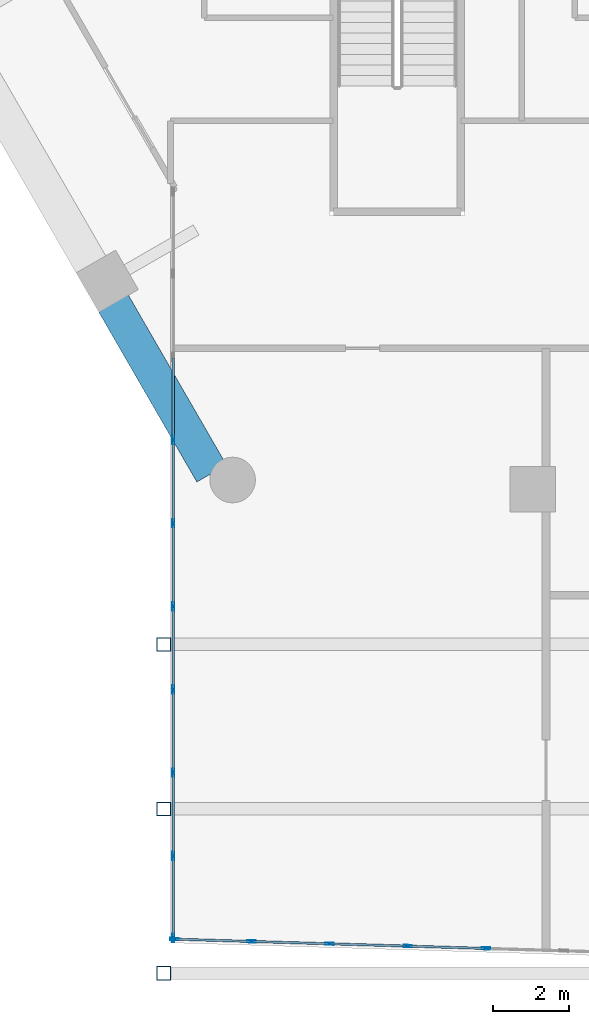
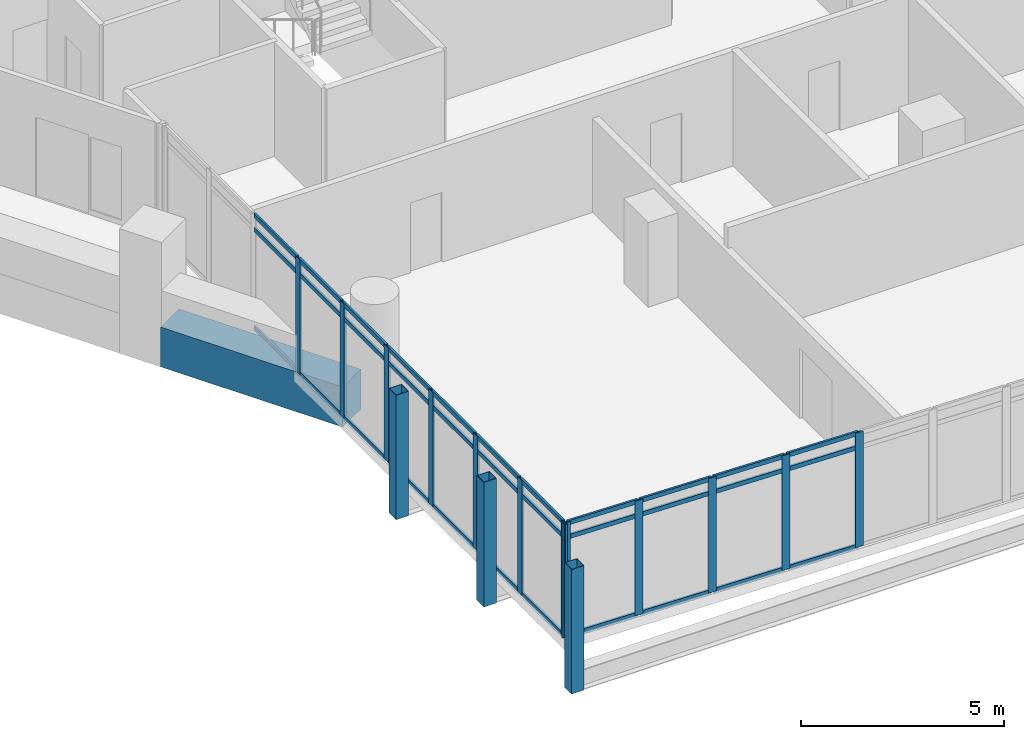
# One storey, part 2 of 28: 48 members, 1 beam, 2 elements without a shape of their own.
"""IFC4 building model written with IfcOpenShell, lengths in metres."""

from ifc_helpers import new_model, si_unit, direction, frame, origin, origin_2d, place, context, subcontext, project, spatial, rectangle, hollow_rectangle, extrude, material, material_profile, profile_set, type_object, element, aggregate, save


model = new_model("IFC4")

# Units and contexts
model_context = context("Model", 3, precision=1e-05, world=origin(), true_north=direction((0.0, 1.0)))
body_context = subcontext(model_context, "Body", "Model", "MODEL_VIEW")
ifc_project = project(units=[si_unit("LENGTHUNIT", "METRE"), si_unit("AREAUNIT", "SQUARE_METRE"), si_unit("VOLUMEUNIT", "CUBIC_METRE"), si_unit("PLANEANGLEUNIT", "RADIAN"), si_unit("MASSUNIT", "GRAM", prefix="KILO")], contexts=[model_context])

# Site, building, storey
site_placement = place(None, origin())
site = spatial("IfcSite", under=ifc_project, at=site_placement, CompositionType="ELEMENT")
building_placement = place(site_placement, origin())
building = spatial("IfcBuilding", under=site, at=building_placement, Name="Ostrander Bayou Hotel Tower", CompositionType="ELEMENT")
storey_placement = place(building_placement, frame((0.0, 0.0, 134.75)))
storey = spatial("IfcBuildingStorey", under=building, at=storey_placement, Name="L33", CompositionType="ELEMENT", Elevation=134.75)

# Curtain wall, members
ifc_material_1 = material(Name="Aluminium and clear glass", Category="aluminium")
curtain_wall_type = type_object("IfcCurtainWallType", Name="CW-BAR glazed wall", PredefinedType="NOTDEFINED", material=ifc_material_1)
curtain_wall_1_placement = place(storey_placement, origin())
curtain_wall_1 = element("IfcCurtainWall", 1, at=curtain_wall_1_placement, inside=storey, type_object=curtain_wall_type, Name="CW-BAR L33:SB3S:E", PredefinedType="NOTDEFINED")
ifc_material_2 = material(Name="Aluminium", Category="aluminium")
ifc_material_profile_1 = material_profile(ifc_material_2, hollow_rectangle(XDim=0.06005859375, YDim=0.219970703125, WallThickness=0.00390625, at=origin_2d()))
ifc_profile_set_1 = profile_set([ifc_material_profile_1], Name="Aluminium")
member_type_1 = type_object("IfcMemberType", Name="CW-BR mullion 60 x 220 mm", PredefinedType="MULLION", material=ifc_profile_set_1)
member_1_placement = place(storey_placement, frame((-13.3671875, -17.41552734375, 0.0), z_axis=(0.0, 0.0, 1.0), x_axis=(1.0, 0.0, 0.0)))
member_1 = element("IfcMember", 2, at=member_1_placement, type_object=member_type_1, Name="CW-BAR mullion 4", PredefinedType="MULLION", context=body_context, shape_type="SweptSolid", body=[
    extrude(hollow_rectangle(XDim=0.06005859375, YDim=0.219970703125, WallThickness=0.00390625, at=origin_2d()), origin(), (0.0, 0.0, 1.0), 3.449951171875),
])
member_2_placement = place(storey_placement, frame((-13.3671875, -19.60498046875, 0.0), z_axis=(0.0, 0.0, 1.0), x_axis=(1.0, 0.0, 0.0)))
member_2 = element("IfcMember", 3, at=member_2_placement, type_object=member_type_1, Name="CW-BAR mullion 5", PredefinedType="MULLION", context=body_context, shape_type="SweptSolid", body=[
    extrude(hollow_rectangle(XDim=0.06005859375, YDim=0.219970703125, WallThickness=0.00390625, at=origin_2d()), origin(), (0.0, 0.0, 1.0), 3.449951171875),
])
member_3_placement = place(storey_placement, frame((-13.3671875, -21.79443359375, 0.0), z_axis=(0.0, 0.0, 1.0), x_axis=(1.0, 0.0, 0.0)))
member_3 = element("IfcMember", 4, at=member_3_placement, type_object=member_type_1, Name="CW-BAR mullion 6", PredefinedType="MULLION", context=body_context, shape_type="SweptSolid", body=[
    extrude(hollow_rectangle(XDim=0.06005859375, YDim=0.219970703125, WallThickness=0.00390625, at=origin_2d()), origin(), (0.0, 0.0, 1.0), 3.449951171875),
])
member_4_placement = place(storey_placement, frame((-13.3671875, -23.98388671875, 0.0), z_axis=(0.0, 0.0, 1.0), x_axis=(1.0, 0.0, 0.0)))
member_4 = element("IfcMember", 5, at=member_4_placement, type_object=member_type_1, Name="CW-BAR mullion 7", PredefinedType="MULLION", context=body_context, shape_type="SweptSolid", body=[
    extrude(hollow_rectangle(XDim=0.06005859375, YDim=0.219970703125, WallThickness=0.00390625, at=origin_2d()), origin(), (0.0, 0.0, 1.0), 3.449951171875),
])
member_5_placement = place(storey_placement, frame((-13.3671875, -26.17333984375, 0.0), z_axis=(0.0, 0.0, 1.0), x_axis=(1.0, 0.0, 0.0)))
member_5 = element("IfcMember", 6, at=member_5_placement, type_object=member_type_1, Name="CW-BAR mullion 8", PredefinedType="MULLION", context=body_context, shape_type="SweptSolid", body=[
    extrude(hollow_rectangle(XDim=0.06005859375, YDim=0.219970703125, WallThickness=0.00390625, at=origin_2d()), origin(), (0.0, 0.0, 1.0), 3.449951171875),
])
member_6_placement = place(storey_placement, frame((-13.3671875, -28.36279296875, 0.0), z_axis=(0.0, 0.0, 1.0), x_axis=(1.0, 0.0, 0.0)))
member_6 = element("IfcMember", 7, at=member_6_placement, type_object=member_type_1, Name="CW-BAR mullion 9", PredefinedType="MULLION", context=body_context, shape_type="SweptSolid", body=[
    extrude(hollow_rectangle(XDim=0.06005859375, YDim=0.219970703125, WallThickness=0.00390625, at=origin_2d()), origin(), (0.0, 0.0, 1.0), 3.449951171875),
])
member_7_placement = place(storey_placement, frame((-13.3671875, -30.522216796875, 0.0), z_axis=(0.0, 0.0, 1.0), x_axis=(1.0, 0.0, 0.0)))
member_7 = element("IfcMember", 8, at=member_7_placement, type_object=member_type_1, Name="CW-BAR mullion 10", PredefinedType="MULLION", context=body_context, shape_type="SweptSolid", body=[
    extrude(hollow_rectangle(XDim=0.06005859375, YDim=0.219970703125, WallThickness=0.00390625, at=origin_2d()), origin(), (0.0, 0.0, 1.0), 3.449951171875),
])

curtain_wall_2_placement = place(storey_placement, origin())
curtain_wall_2 = element("IfcCurtainWall", 9, at=curtain_wall_2_placement, inside=storey, type_object=curtain_wall_type, Name="CW-BAR L33:SB3S:T", PredefinedType="NOTDEFINED")
member_8_placement = place(storey_placement, frame((-13.337158203125, -30.552978515625, 0.0), z_axis=(0.0, 0.0, 1.0), x_axis=(0.029746242041, 0.999557482631, 0.0)))
member_8 = element("IfcMember", 10, at=member_8_placement, type_object=member_type_1, Name="CW-BAR mullion 1", PredefinedType="MULLION", context=body_context, shape_type="SweptSolid", body=[
    extrude(hollow_rectangle(XDim=0.06005859375, YDim=0.219970703125, WallThickness=0.00390625, at=origin_2d()), origin(), (0.0, 0.0, 1.0), 3.449951171875),
])
member_9_placement = place(storey_placement, frame((-11.310791015625, -30.61328125, 0.0), z_axis=(0.0, 0.0, 1.0), x_axis=(0.029746242041, 0.999557482631, 0.0)))
member_9 = element("IfcMember", 11, at=member_9_placement, type_object=member_type_1, Name="CW-BAR mullion 2", PredefinedType="MULLION", context=body_context, shape_type="SweptSolid", body=[
    extrude(hollow_rectangle(XDim=0.06005859375, YDim=0.219970703125, WallThickness=0.00390625, at=origin_2d()), origin(), (0.0, 0.0, 1.0), 3.449951171875),
])
member_10_placement = place(storey_placement, frame((-9.254150390625, -30.674560546875, 0.0), z_axis=(0.0, 0.0, 1.0), x_axis=(0.029746242041, 0.999557482631, 0.0)))
member_10 = element("IfcMember", 12, at=member_10_placement, type_object=member_type_1, Name="CW-BAR mullion 3", PredefinedType="MULLION", context=body_context, shape_type="SweptSolid", body=[
    extrude(hollow_rectangle(XDim=0.06005859375, YDim=0.219970703125, WallThickness=0.00390625, at=origin_2d()), origin(), (0.0, 0.0, 1.0), 3.449951171875),
])
member_11_placement = place(storey_placement, frame((-7.19775390625, -30.73583984375, 0.0), z_axis=(0.0, 0.0, 1.0), x_axis=(0.029746242041, 0.999557482631, 0.0)))
member_11 = element("IfcMember", 13, at=member_11_placement, type_object=member_type_1, Name="CW-BAR mullion 4", PredefinedType="MULLION", context=body_context, shape_type="SweptSolid", body=[
    extrude(hollow_rectangle(XDim=0.06005859375, YDim=0.219970703125, WallThickness=0.00390625, at=origin_2d()), origin(), (0.0, 0.0, 1.0), 3.449951171875),
])
member_12_placement = place(storey_placement, frame((-5.14111328125, -30.797119140625, 0.0), z_axis=(0.0, 0.0, 1.0), x_axis=(0.029746242041, 0.999557482631, 0.0)))
member_12 = element("IfcMember", 14, at=member_12_placement, type_object=member_type_1, Name="CW-BAR mullion 5", PredefinedType="MULLION", context=body_context, shape_type="SweptSolid", body=[
    extrude(hollow_rectangle(XDim=0.06005859375, YDim=0.219970703125, WallThickness=0.00390625, at=origin_2d()), origin(), (0.0, 0.0, 1.0), 3.449951171875),
])

# Member
ifc_material_3 = material(Name="Aluminium", Category="aluminium")
ifc_material_profile_2 = material_profile(ifc_material_3, hollow_rectangle(XDim=0.06005859375, YDim=0.1298828125, WallThickness=0.00390625, at=origin_2d()))
ifc_profile_set_2 = profile_set([ifc_material_profile_2], Name="Aluminium")
member_type_2 = type_object("IfcMemberType", Name="CW-BR transom 60 x 130 mm", PredefinedType="USERDEFINED", material=ifc_profile_set_2)
member_13_placement = place(storey_placement, frame((-13.3671875, -15.256103515625, 0.030029296875), z_axis=(0.0, -1.0, 0.0), x_axis=(1.0, 0.0, 0.0)))
member_13 = element("IfcMember", 15, at=member_13_placement, type_object=member_type_2, Name="CW-BAR transom 3.1", ObjectType="TRANSOM", PredefinedType="USERDEFINED", context=body_context, shape_type="SweptSolid", body=[
    extrude(hollow_rectangle(XDim=0.06005859375, YDim=0.1298828125, WallThickness=0.00390625, at=origin_2d()), origin(), (0.0, 0.0, 1.0), 2.12939453125),
])

member_14_placement = place(storey_placement, frame((-13.3671875, -15.256103515625, 3.0), z_axis=(0.0, -1.0, 0.0), x_axis=(1.0, 0.0, 0.0)))
member_14 = element("IfcMember", 16, at=member_14_placement, type_object=member_type_2, Name="CW-BAR transom 3.2", ObjectType="TRANSOM", PredefinedType="USERDEFINED", context=body_context, shape_type="SweptSolid", body=[
    extrude(hollow_rectangle(XDim=0.06005859375, YDim=0.1298828125, WallThickness=0.00390625, at=origin_2d()), origin(), (0.0, 0.0, 1.0), 2.12939453125),
])

member_15_placement = place(storey_placement, frame((-13.3671875, -15.256103515625, 3.419921875), z_axis=(0.0, -1.0, 0.0), x_axis=(1.0, 0.0, 0.0)))
member_15 = element("IfcMember", 17, at=member_15_placement, type_object=member_type_2, Name="CW-BAR transom 3.3", ObjectType="TRANSOM", PredefinedType="USERDEFINED", context=body_context, shape_type="SweptSolid", body=[
    extrude(hollow_rectangle(XDim=0.06005859375, YDim=0.1298828125, WallThickness=0.00390625, at=origin_2d()), origin(), (0.0, 0.0, 1.0), 2.12939453125),
])

member_16_placement = place(storey_placement, frame((-13.3671875, -17.445556640625, 0.030029296875), z_axis=(0.0, -1.0, 0.0), x_axis=(1.0, 0.0, 0.0)))
member_16 = element("IfcMember", 18, at=member_16_placement, type_object=member_type_2, Name="CW-BAR transom 4.1", ObjectType="TRANSOM", PredefinedType="USERDEFINED", context=body_context, shape_type="SweptSolid", body=[
    extrude(hollow_rectangle(XDim=0.06005859375, YDim=0.1298828125, WallThickness=0.00390625, at=origin_2d()), origin(), (0.0, 0.0, 1.0), 2.12939453125),
])

member_17_placement = place(storey_placement, frame((-13.3671875, -17.445556640625, 3.0), z_axis=(0.0, -1.0, 0.0), x_axis=(1.0, 0.0, 0.0)))
member_17 = element("IfcMember", 19, at=member_17_placement, type_object=member_type_2, Name="CW-BAR transom 4.2", ObjectType="TRANSOM", PredefinedType="USERDEFINED", context=body_context, shape_type="SweptSolid", body=[
    extrude(hollow_rectangle(XDim=0.06005859375, YDim=0.1298828125, WallThickness=0.00390625, at=origin_2d()), origin(), (0.0, 0.0, 1.0), 2.12939453125),
])

member_18_placement = place(storey_placement, frame((-13.3671875, -17.445556640625, 3.419921875), z_axis=(0.0, -1.0, 0.0), x_axis=(1.0, 0.0, 0.0)))
member_18 = element("IfcMember", 20, at=member_18_placement, type_object=member_type_2, Name="CW-BAR transom 4.3", ObjectType="TRANSOM", PredefinedType="USERDEFINED", context=body_context, shape_type="SweptSolid", body=[
    extrude(hollow_rectangle(XDim=0.06005859375, YDim=0.1298828125, WallThickness=0.00390625, at=origin_2d()), origin(), (0.0, 0.0, 1.0), 2.12939453125),
])

member_19_placement = place(storey_placement, frame((-13.3671875, -19.635009765625, 0.030029296875), z_axis=(0.0, -1.0, 0.0), x_axis=(1.0, 0.0, 0.0)))
member_19 = element("IfcMember", 21, at=member_19_placement, type_object=member_type_2, Name="CW-BAR transom 5.1", ObjectType="TRANSOM", PredefinedType="USERDEFINED", context=body_context, shape_type="SweptSolid", body=[
    extrude(hollow_rectangle(XDim=0.06005859375, YDim=0.1298828125, WallThickness=0.00390625, at=origin_2d()), origin(), (0.0, 0.0, 1.0), 2.12939453125),
])

member_20_placement = place(storey_placement, frame((-13.3671875, -19.635009765625, 3.0), z_axis=(0.0, -1.0, 0.0), x_axis=(1.0, 0.0, 0.0)))
member_20 = element("IfcMember", 22, at=member_20_placement, type_object=member_type_2, Name="CW-BAR transom 5.2", ObjectType="TRANSOM", PredefinedType="USERDEFINED", context=body_context, shape_type="SweptSolid", body=[
    extrude(hollow_rectangle(XDim=0.06005859375, YDim=0.1298828125, WallThickness=0.00390625, at=origin_2d()), origin(), (0.0, 0.0, 1.0), 2.12939453125),
])

member_21_placement = place(storey_placement, frame((-13.3671875, -19.635009765625, 3.419921875), z_axis=(0.0, -1.0, 0.0), x_axis=(1.0, 0.0, 0.0)))
member_21 = element("IfcMember", 23, at=member_21_placement, type_object=member_type_2, Name="CW-BAR transom 5.3", ObjectType="TRANSOM", PredefinedType="USERDEFINED", context=body_context, shape_type="SweptSolid", body=[
    extrude(hollow_rectangle(XDim=0.06005859375, YDim=0.1298828125, WallThickness=0.00390625, at=origin_2d()), origin(), (0.0, 0.0, 1.0), 2.12939453125),
])

member_22_placement = place(storey_placement, frame((-13.3671875, -21.824462890625, 0.030029296875), z_axis=(0.0, -1.0, 0.0), x_axis=(1.0, 0.0, 0.0)))
member_22 = element("IfcMember", 24, at=member_22_placement, type_object=member_type_2, Name="CW-BAR transom 6.1", ObjectType="TRANSOM", PredefinedType="USERDEFINED", context=body_context, shape_type="SweptSolid", body=[
    extrude(hollow_rectangle(XDim=0.06005859375, YDim=0.1298828125, WallThickness=0.00390625, at=origin_2d()), origin(), (0.0, 0.0, 1.0), 2.12939453125),
])

member_23_placement = place(storey_placement, frame((-13.3671875, -21.824462890625, 3.0), z_axis=(0.0, -1.0, 0.0), x_axis=(1.0, 0.0, 0.0)))
member_23 = element("IfcMember", 25, at=member_23_placement, type_object=member_type_2, Name="CW-BAR transom 6.2", ObjectType="TRANSOM", PredefinedType="USERDEFINED", context=body_context, shape_type="SweptSolid", body=[
    extrude(hollow_rectangle(XDim=0.06005859375, YDim=0.1298828125, WallThickness=0.00390625, at=origin_2d()), origin(), (0.0, 0.0, 1.0), 2.12939453125),
])

member_24_placement = place(storey_placement, frame((-13.3671875, -21.824462890625, 3.419921875), z_axis=(0.0, -1.0, 0.0), x_axis=(1.0, 0.0, 0.0)))
member_24 = element("IfcMember", 26, at=member_24_placement, type_object=member_type_2, Name="CW-BAR transom 6.3", ObjectType="TRANSOM", PredefinedType="USERDEFINED", context=body_context, shape_type="SweptSolid", body=[
    extrude(hollow_rectangle(XDim=0.06005859375, YDim=0.1298828125, WallThickness=0.00390625, at=origin_2d()), origin(), (0.0, 0.0, 1.0), 2.12939453125),
])

member_25_placement = place(storey_placement, frame((-13.3671875, -24.013916015625, 0.030029296875), z_axis=(0.0, -1.0, 0.0), x_axis=(1.0, 0.0, 0.0)))
member_25 = element("IfcMember", 27, at=member_25_placement, type_object=member_type_2, Name="CW-BAR transom 7.1", ObjectType="TRANSOM", PredefinedType="USERDEFINED", context=body_context, shape_type="SweptSolid", body=[
    extrude(hollow_rectangle(XDim=0.06005859375, YDim=0.1298828125, WallThickness=0.00390625, at=origin_2d()), origin(), (0.0, 0.0, 1.0), 2.12939453125),
])

member_26_placement = place(storey_placement, frame((-13.3671875, -24.013916015625, 3.0), z_axis=(0.0, -1.0, 0.0), x_axis=(1.0, 0.0, 0.0)))
member_26 = element("IfcMember", 28, at=member_26_placement, type_object=member_type_2, Name="CW-BAR transom 7.2", ObjectType="TRANSOM", PredefinedType="USERDEFINED", context=body_context, shape_type="SweptSolid", body=[
    extrude(hollow_rectangle(XDim=0.06005859375, YDim=0.1298828125, WallThickness=0.00390625, at=origin_2d()), origin(), (0.0, 0.0, 1.0), 2.12939453125),
])

member_27_placement = place(storey_placement, frame((-13.3671875, -24.013916015625, 3.419921875), z_axis=(0.0, -1.0, 0.0), x_axis=(1.0, 0.0, 0.0)))
member_27 = element("IfcMember", 29, at=member_27_placement, type_object=member_type_2, Name="CW-BAR transom 7.3", ObjectType="TRANSOM", PredefinedType="USERDEFINED", context=body_context, shape_type="SweptSolid", body=[
    extrude(hollow_rectangle(XDim=0.06005859375, YDim=0.1298828125, WallThickness=0.00390625, at=origin_2d()), origin(), (0.0, 0.0, 1.0), 2.12939453125),
])

member_28_placement = place(storey_placement, frame((-13.3671875, -26.203369140625, 0.030029296875), z_axis=(0.0, -1.0, 0.0), x_axis=(1.0, 0.0, 0.0)))
member_28 = element("IfcMember", 30, at=member_28_placement, type_object=member_type_2, Name="CW-BAR transom 8.1", ObjectType="TRANSOM", PredefinedType="USERDEFINED", context=body_context, shape_type="SweptSolid", body=[
    extrude(hollow_rectangle(XDim=0.06005859375, YDim=0.1298828125, WallThickness=0.00390625, at=origin_2d()), origin(), (0.0, 0.0, 1.0), 2.12939453125),
])

member_29_placement = place(storey_placement, frame((-13.3671875, -26.203369140625, 3.0), z_axis=(0.0, -1.0, 0.0), x_axis=(1.0, 0.0, 0.0)))
member_29 = element("IfcMember", 31, at=member_29_placement, type_object=member_type_2, Name="CW-BAR transom 8.2", ObjectType="TRANSOM", PredefinedType="USERDEFINED", context=body_context, shape_type="SweptSolid", body=[
    extrude(hollow_rectangle(XDim=0.06005859375, YDim=0.1298828125, WallThickness=0.00390625, at=origin_2d()), origin(), (0.0, 0.0, 1.0), 2.12939453125),
])

member_30_placement = place(storey_placement, frame((-13.3671875, -26.203369140625, 3.419921875), z_axis=(0.0, -1.0, 0.0), x_axis=(1.0, 0.0, 0.0)))
member_30 = element("IfcMember", 32, at=member_30_placement, type_object=member_type_2, Name="CW-BAR transom 8.3", ObjectType="TRANSOM", PredefinedType="USERDEFINED", context=body_context, shape_type="SweptSolid", body=[
    extrude(hollow_rectangle(XDim=0.06005859375, YDim=0.1298828125, WallThickness=0.00390625, at=origin_2d()), origin(), (0.0, 0.0, 1.0), 2.12939453125),
])

member_31_placement = place(storey_placement, frame((-13.3671875, -28.392822265625, 0.030029296875), z_axis=(0.0, -1.0, 0.0), x_axis=(1.0, 0.0, 0.0)))
member_31 = element("IfcMember", 33, at=member_31_placement, type_object=member_type_2, Name="CW-BAR transom 9.1", ObjectType="TRANSOM", PredefinedType="USERDEFINED", context=body_context, shape_type="SweptSolid", body=[
    extrude(hollow_rectangle(XDim=0.06005859375, YDim=0.1298828125, WallThickness=0.00390625, at=origin_2d()), origin(), (0.0, 0.0, 1.0), 2.099365234375),
])

member_32_placement = place(storey_placement, frame((-13.3671875, -28.392822265625, 3.0), z_axis=(0.0, -1.0, 0.0), x_axis=(1.0, 0.0, 0.0)))
member_32 = element("IfcMember", 34, at=member_32_placement, type_object=member_type_2, Name="CW-BAR transom 9.2", ObjectType="TRANSOM", PredefinedType="USERDEFINED", context=body_context, shape_type="SweptSolid", body=[
    extrude(hollow_rectangle(XDim=0.06005859375, YDim=0.1298828125, WallThickness=0.00390625, at=origin_2d()), origin(), (0.0, 0.0, 1.0), 2.099365234375),
])

member_33_placement = place(storey_placement, frame((-13.3671875, -28.392822265625, 3.419921875), z_axis=(0.0, -1.0, 0.0), x_axis=(1.0, 0.0, 0.0)))
member_33 = element("IfcMember", 35, at=member_33_placement, type_object=member_type_2, Name="CW-BAR transom 9.3", ObjectType="TRANSOM", PredefinedType="USERDEFINED", context=body_context, shape_type="SweptSolid", body=[
    extrude(hollow_rectangle(XDim=0.06005859375, YDim=0.1298828125, WallThickness=0.00390625, at=origin_2d()), origin(), (0.0, 0.0, 1.0), 2.099365234375),
])

aggregate(curtain_wall_1, [member_1, member_2, member_3, member_4, member_5, member_6, member_7, member_13, member_14, member_15, member_16, member_17, member_18, member_19, member_20, member_21, member_22, member_23, member_24, member_25, member_26, member_27, member_28, member_29, member_30, member_31, member_32, member_33])

member_34_placement = place(storey_placement, frame((-13.30712890625, -30.553955078125, 0.030029296875), z_axis=(0.999556419591, -0.029781941738, 0.0), x_axis=(0.029781941738, 0.999556419591, 0.0)))
member_34 = element("IfcMember", 36, at=member_34_placement, type_object=member_type_2, Name="CW-BAR transom 1.1", ObjectType="TRANSOM", PredefinedType="USERDEFINED", context=body_context, shape_type="SweptSolid", body=[
    extrude(hollow_rectangle(XDim=0.06005859375, YDim=0.1298828125, WallThickness=0.00390625, at=origin_2d()), origin(), (0.0, 0.0, 1.0), 1.967529296875),
])

member_35_placement = place(storey_placement, frame((-13.30712890625, -30.553955078125, 3.0), z_axis=(0.999556419591, -0.029781941738, 0.0), x_axis=(0.029781941738, 0.999556419591, 0.0)))
member_35 = element("IfcMember", 37, at=member_35_placement, type_object=member_type_2, Name="CW-BAR transom 1.2", ObjectType="TRANSOM", PredefinedType="USERDEFINED", context=body_context, shape_type="SweptSolid", body=[
    extrude(hollow_rectangle(XDim=0.06005859375, YDim=0.1298828125, WallThickness=0.00390625, at=origin_2d()), origin(), (0.0, 0.0, 1.0), 1.967529296875),
])

member_36_placement = place(storey_placement, frame((-13.30712890625, -30.553955078125, 3.419921875), z_axis=(0.999556419591, -0.029781941738, 0.0), x_axis=(0.029781941738, 0.999556419591, 0.0)))
member_36 = element("IfcMember", 38, at=member_36_placement, type_object=member_type_2, Name="CW-BAR transom 1.3", ObjectType="TRANSOM", PredefinedType="USERDEFINED", context=body_context, shape_type="SweptSolid", body=[
    extrude(hollow_rectangle(XDim=0.06005859375, YDim=0.1298828125, WallThickness=0.00390625, at=origin_2d()), origin(), (0.0, 0.0, 1.0), 1.967529296875),
])

member_37_placement = place(storey_placement, frame((-11.28076171875, -30.6142578125, 0.030029296875), z_axis=(0.999555199151, -0.029822874614, 0.0), x_axis=(0.029822874614, 0.999555199151, 0.0)))
member_37 = element("IfcMember", 39, at=member_37_placement, type_object=member_type_2, Name="CW-BAR transom 2.1", ObjectType="TRANSOM", PredefinedType="USERDEFINED", context=body_context, shape_type="SweptSolid", body=[
    extrude(hollow_rectangle(XDim=0.06005859375, YDim=0.1298828125, WallThickness=0.00390625, at=origin_2d()), origin(), (0.0, 0.0, 1.0), 1.99755859375),
])

member_38_placement = place(storey_placement, frame((-11.28076171875, -30.6142578125, 3.0), z_axis=(0.999555199151, -0.029822874614, 0.0), x_axis=(0.029822874614, 0.999555199151, 0.0)))
member_38 = element("IfcMember", 40, at=member_38_placement, type_object=member_type_2, Name="CW-BAR transom 2.2", ObjectType="TRANSOM", PredefinedType="USERDEFINED", context=body_context, shape_type="SweptSolid", body=[
    extrude(hollow_rectangle(XDim=0.06005859375, YDim=0.1298828125, WallThickness=0.00390625, at=origin_2d()), origin(), (0.0, 0.0, 1.0), 1.99755859375),
])

member_39_placement = place(storey_placement, frame((-11.28076171875, -30.6142578125, 3.419921875), z_axis=(0.999555199151, -0.029822874614, 0.0), x_axis=(0.029822874614, 0.999555199151, 0.0)))
member_39 = element("IfcMember", 41, at=member_39_placement, type_object=member_type_2, Name="CW-BAR transom 2.3", ObjectType="TRANSOM", PredefinedType="USERDEFINED", context=body_context, shape_type="SweptSolid", body=[
    extrude(hollow_rectangle(XDim=0.06005859375, YDim=0.1298828125, WallThickness=0.00390625, at=origin_2d()), origin(), (0.0, 0.0, 1.0), 1.99755859375),
])

member_40_placement = place(storey_placement, frame((-9.22412109375, -30.675537109375, 0.030029296875), z_axis=(0.999558727342, -0.029704386785, 0.0), x_axis=(0.029704386785, 0.999558727342, 0.0)))
member_40 = element("IfcMember", 42, at=member_40_placement, type_object=member_type_2, Name="CW-BAR transom 3.1", ObjectType="TRANSOM", PredefinedType="USERDEFINED", context=body_context, shape_type="SweptSolid", body=[
    extrude(hollow_rectangle(XDim=0.06005859375, YDim=0.1298828125, WallThickness=0.00390625, at=origin_2d()), origin(), (0.0, 0.0, 1.0), 1.997314453125),
])

member_41_placement = place(storey_placement, frame((-9.22412109375, -30.675537109375, 3.0), z_axis=(0.999558727342, -0.029704386785, 0.0), x_axis=(0.029704386785, 0.999558727342, 0.0)))
member_41 = element("IfcMember", 43, at=member_41_placement, type_object=member_type_2, Name="CW-BAR transom 3.2", ObjectType="TRANSOM", PredefinedType="USERDEFINED", context=body_context, shape_type="SweptSolid", body=[
    extrude(hollow_rectangle(XDim=0.06005859375, YDim=0.1298828125, WallThickness=0.00390625, at=origin_2d()), origin(), (0.0, 0.0, 1.0), 1.997314453125),
])

member_42_placement = place(storey_placement, frame((-9.22412109375, -30.675537109375, 3.419921875), z_axis=(0.999558727342, -0.029704386785, 0.0), x_axis=(0.029704386785, 0.999558727342, 0.0)))
member_42 = element("IfcMember", 44, at=member_42_placement, type_object=member_type_2, Name="CW-BAR transom 3.3", ObjectType="TRANSOM", PredefinedType="USERDEFINED", context=body_context, shape_type="SweptSolid", body=[
    extrude(hollow_rectangle(XDim=0.06005859375, YDim=0.1298828125, WallThickness=0.00390625, at=origin_2d()), origin(), (0.0, 0.0, 1.0), 1.997314453125),
])

member_43_placement = place(storey_placement, frame((-7.167724609375, -30.736572265625, 0.030029296875), z_axis=(0.999555199151, -0.029822874614, 0.0), x_axis=(0.029822874614, 0.999555199151, 0.0)))
member_43 = element("IfcMember", 45, at=member_43_placement, type_object=member_type_2, Name="CW-BAR transom 4.1", ObjectType="TRANSOM", PredefinedType="USERDEFINED", context=body_context, shape_type="SweptSolid", body=[
    extrude(hollow_rectangle(XDim=0.06005859375, YDim=0.1298828125, WallThickness=0.00390625, at=origin_2d()), origin(), (0.0, 0.0, 1.0), 1.99755859375),
])

member_44_placement = place(storey_placement, frame((-7.167724609375, -30.736572265625, 3.0), z_axis=(0.999555199151, -0.029822874614, 0.0), x_axis=(0.029822874614, 0.999555199151, 0.0)))
member_44 = element("IfcMember", 46, at=member_44_placement, type_object=member_type_2, Name="CW-BAR transom 4.2", ObjectType="TRANSOM", PredefinedType="USERDEFINED", context=body_context, shape_type="SweptSolid", body=[
    extrude(hollow_rectangle(XDim=0.06005859375, YDim=0.1298828125, WallThickness=0.00390625, at=origin_2d()), origin(), (0.0, 0.0, 1.0), 1.99755859375),
])

member_45_placement = place(storey_placement, frame((-7.167724609375, -30.736572265625, 3.419921875), z_axis=(0.999555199151, -0.029822874614, 0.0), x_axis=(0.029822874614, 0.999555199151, 0.0)))
member_45 = element("IfcMember", 47, at=member_45_placement, type_object=member_type_2, Name="CW-BAR transom 4.3", ObjectType="TRANSOM", PredefinedType="USERDEFINED", context=body_context, shape_type="SweptSolid", body=[
    extrude(hollow_rectangle(XDim=0.06005859375, YDim=0.1298828125, WallThickness=0.00390625, at=origin_2d()), origin(), (0.0, 0.0, 1.0), 1.99755859375),
])

aggregate(curtain_wall_2, [member_8, member_9, member_10, member_11, member_12, member_34, member_35, member_36, member_37, member_38, member_39, member_40, member_41, member_42, member_43, member_44, member_45])

# Beam
ifc_material_4 = material(Name="Concrete f'c 70 MPa", Category="concrete")
ifc_material_profile_3 = material_profile(ifc_material_4, rectangle(XDim=0.89990234375, YDim=1.199951171875, at=origin_2d()))
ifc_profile_set_3 = profile_set([ifc_material_profile_3], Name="Concrete f'c 70 MPa")
beam_type = type_object("IfcBeamType", Name="SP2 spandrel beam 900 x 1200 mm f'c 70 MPa", PredefinedType="SPANDREL", material=ifc_profile_set_3)
beam_placement = place(storey_placement, frame((-14.9521484375, -13.802001953125, -0.60009765625), z_axis=(0.499996813733, -0.866027243369, 0.0), x_axis=(0.866027243369, 0.499996813733, 0.0)))
element("IfcBeam", 48, at=beam_placement, inside=storey, type_object=beam_type, Name="SP2 L33 SW-3", PredefinedType="SPANDREL", context=body_context, shape_type="SweptSolid", body=[
    extrude(rectangle(XDim=0.89990234375, YDim=1.199951171875, at=origin_2d()), origin(), (0.0, 0.0, 1.0), 5.1865234375),
])

# Members
ifc_material_5 = material(Name="Steel ASTM A500 Gr C", Category="steel")
ifc_material_profile_4 = material_profile(ifc_material_5, hollow_rectangle(XDim=0.355712890625, YDim=0.355712890625, WallThickness=0.01171875, at=origin_2d()))
ifc_profile_set_4 = profile_set([ifc_material_profile_4], Name="Steel ASTM A500 Gr C")
member_type_3 = type_object("IfcMemberType", Name="TH2 bar hanger HSS14x14x1/2", PredefinedType="POST", material=ifc_profile_set_4)
for number, where, z_axis, x_axis, name in (
    (49, (-13.6201171875, -22.794677734375, -0.921875), (0.0, 0.0, 1.0), (1.0, 0.0, 0.0), "TH2 SB3SA H1-2"),
    (50, (-13.6201171875, -27.122314453125, -0.921875), (0.0, 0.0, 1.0), (1.0, 0.0, 0.0), "TH2 SB3SA H2-2"),
    (51, (-13.6201171875, -31.449951171875, -0.921875), (0.0, 0.0, 1.0), (1.0, 0.0, 0.0), "TH2 SB3SA H3-2"),
):
    element("IfcMember", number, at=place(storey_placement, frame(where, z_axis=z_axis, x_axis=x_axis)), inside=storey, type_object=member_type_3, Name=name, PredefinedType="POST", context=body_context, shape_type="SweptSolid", body=[
        extrude(hollow_rectangle(XDim=0.355712890625, YDim=0.355712890625, WallThickness=0.01171875, at=origin_2d()), origin(), (0.0, 0.0, 1.0), 3.75),
    ])

save(model, "model.ifc")
